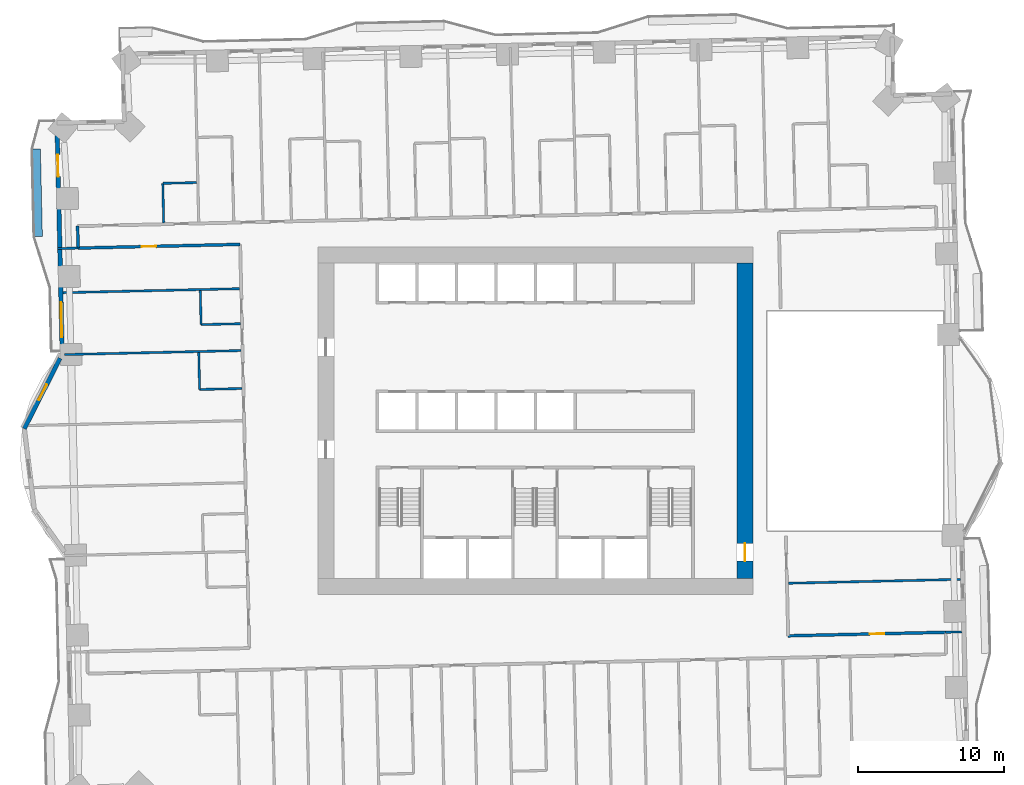
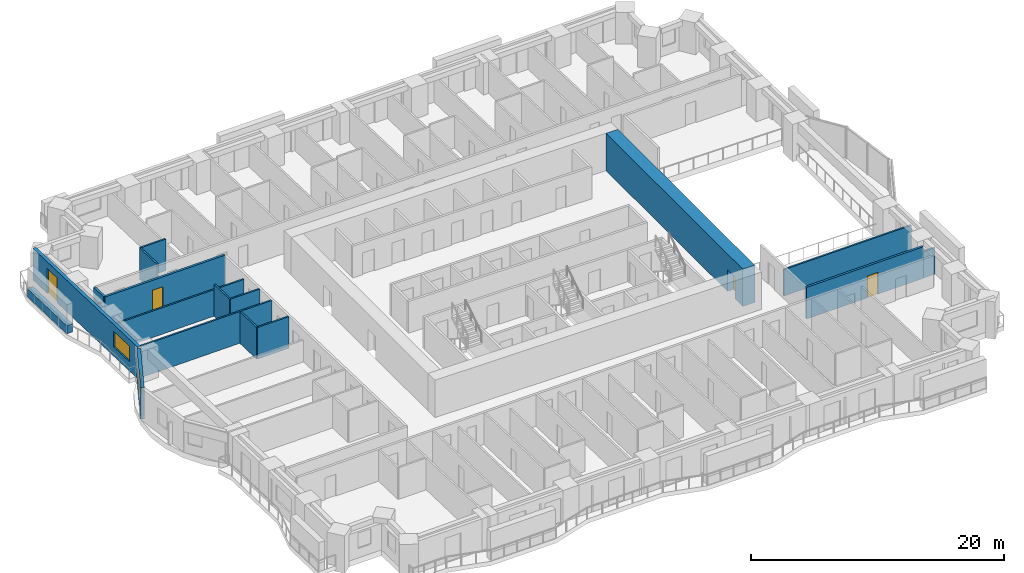
# One storey, part 8 of 16: 18 walls, 4 doors, 2 windows, 6 openings.
"""IFC4 building model written with IfcOpenShell, lengths in metres."""

from ifc_helpers import new_model, si_unit, direction, frame, frame_2d, origin, place, context, subcontext, project, spatial, rectangle, extrude, material, layer, layer_set, type_object, element, fill, save


model = new_model("IFC4")

# Units and contexts
model_context = context("Model", 3, precision=1e-05, world=origin(), true_north=direction((0.0, 1.0)))
body_context = subcontext(model_context, "Body", "Model", "MODEL_VIEW")
ifc_project = project(units=[si_unit("LENGTHUNIT", "METRE"), si_unit("AREAUNIT", "SQUARE_METRE"), si_unit("VOLUMEUNIT", "CUBIC_METRE"), si_unit("PLANEANGLEUNIT", "RADIAN"), si_unit("MASSUNIT", "GRAM", prefix="KILO")], contexts=[model_context])

# Site, building, storey
site_placement = place(None, origin())
site = spatial("IfcSite", under=ifc_project, at=site_placement, CompositionType="ELEMENT")
building_placement = place(site_placement, origin())
building = spatial("IfcBuilding", under=site, at=building_placement, Name="Mangrove Gate Tower", CompositionType="ELEMENT")
storey_placement = place(building_placement, frame((0.0, 0.0, 48.5)))
storey = spatial("IfcBuildingStorey", under=building, at=storey_placement, Name="L11", CompositionType="ELEMENT", Elevation=48.5)

# Wall, opening, door
ifc_material_1 = material(Name="Concrete C70/85", Category="concrete")
ifc_layer_1 = layer(ifc_material_1, 1.10009765625)
ifc_layer_set_1 = layer_set([ifc_layer_1], Name="Core wall 1100 C70/85")
wall_type_1 = type_object("IfcWallType", Name="Core wall 1100 C70/85", PredefinedType="SHEAR", material=ifc_layer_set_1)
wall_1_placement = place(storey_placement, frame((14.35009765625, -10.800048828125, 0.0), z_axis=(0.0, 0.0, 1.0), x_axis=(0.0, 1.0, 0.0)))
wall_1 = element("IfcWall", 1, at=wall_1_placement, inside=storey, type_object=wall_type_1, Name="WALL-L11-CORE-4", PredefinedType="SHEAR", context=body_context, shape_type="SweptSolid", body=[
    extrude(rectangle(XDim=21.60009765625, YDim=1.10009765625, at=frame_2d((10.800048828125, 0.0))), origin(), (0.0, 0.0, 1.0), 3.60009765625),
])
opening_1_placement = place(wall_1_placement, frame((1.199951171875, 0.0, 0.0)))
opening_1 = element("IfcOpeningElement", 2, at=opening_1_placement, cuts=wall_1, Name="Opening CD", PredefinedType="OPENING", context=body_context, shape_type="SweptSolid", body=[
    extrude(rectangle(XDim=1.199951171875, YDim=2.10009765625, at=frame_2d((0.60009765625, 1.050048828125))), frame((0.0, 0.56005859375, 0.0), z_axis=(0.0, -1.0, 0.0), x_axis=(1.0, 0.0, 0.0)), (0.0, 0.0, 1.0), 1.1201171875),
])
ifc_material_2 = material(Name="Fire-rated steel door set", Category="steel")
door_type_1 = type_object("IfcDoorType", Name="Core ring door FD60 1200x2100", OperationType="DOUBLE_DOOR_SINGLE_SWING", PredefinedType="DOOR", material=ifc_material_2)
door_1_placement = place(opening_1_placement, origin())
door_1 = element("IfcDoor", 3, at=door_1_placement, inside=storey, type_object=door_type_1, Name="Core ring door E1", OperationType="DOUBLE_DOOR_SINGLE_SWING", OverallHeight=2.10009765625, OverallWidth=1.199951171875, PredefinedType="DOOR", context=body_context, shape_type="SweptSolid", body=[
    extrude(rectangle(XDim=1.199951171875, YDim=2.10009765625, at=frame_2d((0.60009765625, 1.050048828125))), frame((0.0, 0.02490234375, 0.0), z_axis=(0.0, -1.0, 0.0), x_axis=(1.0, 0.0, 0.0)), (0.0, 0.0, 1.0), 0.050048828125),
])
fill(opening_1, door_1)

ifc_material_3 = material(Name="Gypsum board on steel stud, EI 60", Category="steel")
ifc_layer_2 = layer(ifc_material_3, 0.199951171875)
ifc_layer_set_2 = layer_set([ifc_layer_2], Name="Corridor wall EI 60")
wall_type_2 = type_object("IfcWallType", Name="Corridor wall EI 60", PredefinedType="PARTITIONING", material=ifc_layer_set_2)
wall_2_placement = place(storey_placement, frame((17.305908203125, -14.72412109375, 0.0), z_axis=(0.0, 0.0, 1.0), x_axis=(0.999744269809, 0.022614043969, 0.0)))
wall_2 = element("IfcWall", 4, at=wall_2_placement, inside=storey, type_object=wall_type_2, Name="WALL-L11-037", PredefinedType="PARTITIONING", context=body_context, shape_type="SweptSolid", body=[
    extrude(rectangle(XDim=10.7958984375, YDim=0.199951171875, at=frame_2d((5.39794921875, 0.0))), origin(), (0.0, 0.0, 1.0), 3.050048828125),
])
opening_2_placement = place(wall_2_placement, frame((5.597900390625, 0.0, 0.0)))
opening_2 = element("IfcOpeningElement", 5, at=opening_2_placement, cuts=wall_2, Name="Opening AD", PredefinedType="OPENING", context=body_context, shape_type="SweptSolid", body=[
    extrude(rectangle(XDim=1.0, YDim=2.10009765625, at=frame_2d((0.5, 1.050048828125))), frame((0.0, 0.10986328125, 0.0), z_axis=(0.0, -1.0, 0.0), x_axis=(1.0, 0.0, 0.0)), (0.0, 0.0, 1.0), 0.219970703125),
])
ifc_material_4 = material(Name="Timber door leaf", Category="wood")
door_type_2 = type_object("IfcDoorType", Name="Amenity door 1000", OperationType="SINGLE_SWING_LEFT", PredefinedType="DOOR", material=ifc_material_4)
door_2_placement = place(opening_2_placement, origin())
door_2 = element("IfcDoor", 6, at=door_2_placement, inside=storey, type_object=door_type_2, Name="DOOR-L11-KIT-c3a", OperationType="SINGLE_SWING_LEFT", OverallHeight=2.10009765625, OverallWidth=1.0, PredefinedType="DOOR", context=body_context, shape_type="SweptSolid", body=[
    extrude(rectangle(XDim=1.0, YDim=2.10009765625, at=frame_2d((0.5, 1.050048828125))), frame((0.0, 0.02490234375, 0.0), z_axis=(0.0, -1.0, 0.0), x_axis=(1.0, 0.0, 0.0)), (0.0, 0.0, 1.0), 0.050048828125),
])
fill(opening_2, door_2)

wall_3_placement = place(storey_placement, frame((-31.31298828125, 11.8291015625, 0.0), z_axis=(0.0, 0.0, 1.0), x_axis=(0.999742346277, 0.022698921993, 0.0)))
wall_3 = element("IfcWall", 7, at=wall_3_placement, inside=storey, type_object=wall_type_2, Name="WALL-L11-056", PredefinedType="PARTITIONING", context=body_context, shape_type="SweptSolid", body=[
    extrude(rectangle(XDim=11.099853515625, YDim=0.199951171875, at=frame_2d((5.5498046875, 0.0))), origin(), (0.0, 0.0, 1.0), 3.050048828125),
])
opening_3_placement = place(wall_3_placement, frame((4.35009765625, 0.0, 0.0)))
opening_3 = element("IfcOpeningElement", 8, at=opening_3_placement, cuts=wall_3, Name="Opening AD", PredefinedType="OPENING", context=body_context, shape_type="SweptSolid", body=[
    extrude(rectangle(XDim=1.0, YDim=2.10009765625, at=frame_2d((0.5, 1.050048828125))), frame((0.0, 0.10986328125, 0.0), z_axis=(0.0, -1.0, 0.0), x_axis=(1.0, 0.0, 0.0)), (0.0, 0.0, 1.0), 0.219970703125),
])
door_3_placement = place(opening_3_placement, origin())
door_3 = element("IfcDoor", 9, at=door_3_placement, inside=storey, type_object=door_type_2, Name="DOOR-L11-STU-c5a", OperationType="SINGLE_SWING_RIGHT", OverallHeight=2.10009765625, OverallWidth=1.0, PredefinedType="DOOR", context=body_context, shape_type="SweptSolid", body=[
    extrude(rectangle(XDim=1.0, YDim=2.10009765625, at=frame_2d((0.5, 1.050048828125))), frame((0.0, 0.02490234375, 0.0), z_axis=(0.0, -1.0, 0.0), x_axis=(1.0, 0.0, 0.0)), (0.0, 0.0, 1.0), 0.050048828125),
])
fill(opening_3, door_3)

# Wall
wall_4_placement = place(storey_placement, frame((-31.31298828125, 11.8291015625, 0.0), z_axis=(0.0, 0.0, 1.0), x_axis=(-0.022617910375, 0.999744182344, 0.0)))
element("IfcWall", 10, at=wall_4_placement, inside=storey, type_object=wall_type_2, Name="WALL-L11-057", PredefinedType="PARTITIONING", context=body_context, shape_type="SweptSolid", body=[
    extrude(rectangle(XDim=1.50048828125, YDim=0.199951171875, at=frame_2d((0.750244140625, 0.0))), origin(), (0.0, 0.0, 1.0), 3.050048828125),
])

# Wall, openings, door, window
ifc_material_5 = material(Name="Limestone", Category="masonry")
ifc_layer_3 = layer(ifc_material_5, 0.0400390625, Name="Limestone cladding")
ifc_material_6 = material(Name="Ventilated air gap")
ifc_layer_4 = layer(ifc_material_6, 0.0400390625, Name="Ventilated cavity")
ifc_material_7 = material(Name="Mineral wool insulation")
ifc_layer_5 = layer(ifc_material_7, 0.06005859375, Name="Insulation")
ifc_material_8 = material(Name="Breather membrane")
ifc_layer_6 = layer(ifc_material_8, 0.001953125, Name="Breather membrane")
ifc_material_9 = material(Name="Concrete C20/25 blockwork", Category="masonry")
ifc_layer_7 = layer(ifc_material_9, 0.14990234375, Name="Blockwork backing wall")
ifc_material_10 = material(Name="Gypsum plaster")
ifc_layer_8 = layer(ifc_material_10, 0.008056640625, Name="Internal plaster")
ifc_layer_set_3 = layer_set([ifc_layer_3, ifc_layer_4, ifc_layer_5, ifc_layer_6, ifc_layer_7, ifc_layer_8], Name="External wall 300 limestone cladding")
wall_type_3 = type_object("IfcWallType", Name="External wall 300 limestone cladding", PredefinedType="SOLIDWALL", material=ifc_layer_set_3)
wall_5_placement = place(storey_placement, frame((-32.758056640625, 20.39892578125, 0.0), z_axis=(0.0, 0.0, 1.0), x_axis=(0.022668485183, -0.999743036875, 0.0)))
wall_5 = element("IfcWall", 11, at=wall_5_placement, inside=storey, type_object=wall_type_3, Name="WALL-L11-W8", PredefinedType="SOLIDWALL", context=body_context, shape_type="SweptSolid", body=[
    extrude(rectangle(XDim=15.928955078125, YDim=0.300048828125, at=frame_2d((7.96435546875, 0.0))), origin(), (0.0, 0.0, 1.0), 3.050048828125),
])
opening_4_placement = place(wall_5_placement, frame((2.169921875, 0.0, 0.0)))
opening_4 = element("IfcOpeningElement", 12, at=opening_4_placement, cuts=wall_5, Name="Opening BD1", PredefinedType="OPENING", context=body_context, shape_type="SweptSolid", body=[
    extrude(rectangle(XDim=1.5, YDim=2.39990234375, at=frame_2d((0.75, 1.199951171875))), frame((0.0, 0.159912109375, 0.0), z_axis=(0.0, -1.0, 0.0), x_axis=(1.0, 0.0, 0.0)), (0.0, 0.0, 1.0), 0.320068359375),
])
opening_5_placement = place(wall_5_placement, frame((12.27490234375, 0.0, 0.89990234375)))
opening_5 = element("IfcOpeningElement", 13, at=opening_5_placement, cuts=wall_5, Name="Opening W2", PredefinedType="OPENING", context=body_context, shape_type="SweptSolid", body=[
    extrude(rectangle(XDim=2.39990234375, YDim=1.5, at=frame_2d((1.199951171875, 0.75))), frame((0.0, 0.159912109375, 0.0), z_axis=(0.0, -1.0, 0.0), x_axis=(1.0, 0.0, 0.0)), (0.0, 0.0, 1.0), 0.320068359375),
])
ifc_material_11 = material(Name="Aluminium frame with laminated clear glass", Category="aluminium")
door_type_3 = type_object("IfcDoorType", Name="Balcony sliding door 1500x2400", OperationType="SLIDING_TO_LEFT", PredefinedType="DOOR", material=ifc_material_11)
door_4_placement = place(opening_4_placement, origin())
door_4 = element("IfcDoor", 14, at=door_4_placement, inside=storey, type_object=door_type_3, Name="DOOR-L11-W8-1", OperationType="SLIDING_TO_LEFT", OverallHeight=2.39990234375, OverallWidth=1.5, PredefinedType="DOOR", context=body_context, shape_type="SweptSolid", body=[
    extrude(rectangle(XDim=1.5, YDim=2.39990234375, at=frame_2d((0.75, 1.199951171875))), frame((0.0, 0.02490234375, 0.0), z_axis=(0.0, -1.0, 0.0), x_axis=(1.0, 0.0, 0.0)), (0.0, 0.0, 1.0), 0.050048828125),
])
fill(opening_4, door_4)
ifc_material_12 = material(Name="Aluminium frame with double-glazed low-e glass", Category="aluminium")
window_type_1 = type_object("IfcWindowType", Name="Corner room window 2400x1500", PartitioningType="DOUBLE_PANEL_VERTICAL", PredefinedType="WINDOW", material=ifc_material_12)
window_1_placement = place(opening_5_placement, origin())
window_1 = element("IfcWindow", 15, at=window_1_placement, inside=storey, type_object=window_type_1, Name="WIN-L11-W8-2", OverallHeight=1.5, OverallWidth=2.39990234375, PartitioningType="DOUBLE_PANEL_VERTICAL", PredefinedType="WINDOW", context=body_context, shape_type="SweptSolid", body=[
    extrude(rectangle(XDim=2.39990234375, YDim=1.5, at=frame_2d((1.199951171875, 0.75))), frame((0.0, 0.030029296875, 0.0), z_axis=(0.0, -1.0, 0.0), x_axis=(1.0, 0.0, 0.0)), (0.0, 0.0, 1.0), 0.06005859375),
])
fill(opening_5, window_1)

# Wall, opening, window
wall_6_placement = place(storey_placement, frame((-32.552001953125, 4.280029296875, 0.0), z_axis=(0.0, 0.0, 1.0), x_axis=(-0.452703975507, -0.891660871946, 0.0)))
wall_6 = element("IfcWall", 16, at=wall_6_placement, inside=storey, type_object=wall_type_3, Name="WALL-L11-W9f1", PredefinedType="SOLIDWALL", context=body_context, shape_type="SweptSolid", body=[
    extrude(rectangle(XDim=5.39892578125, YDim=0.300048828125, at=frame_2d((2.699462890625, 0.0))), origin(), (0.0, 0.0, 1.0), 3.050048828125),
])
opening_6_placement = place(wall_6_placement, frame((2.007080078125, 0.0, 0.89990234375)))
opening_6 = element("IfcOpeningElement", 17, at=opening_6_placement, cuts=wall_6, Name="Opening W1", PredefinedType="OPENING", context=body_context, shape_type="SweptSolid", body=[
    extrude(rectangle(XDim=1.199951171875, YDim=1.5, at=frame_2d((0.60009765625, 0.75))), frame((0.0, 0.159912109375, 0.0), z_axis=(0.0, -1.0, 0.0), x_axis=(1.0, 0.0, 0.0)), (0.0, 0.0, 1.0), 0.320068359375),
])
ifc_material_13 = material(Name="Aluminium frame with double-glazed low-e glass", Category="aluminium")
window_type_2 = type_object("IfcWindowType", Name="Side lite 1200x1500", PartitioningType="SINGLE_PANEL", PredefinedType="WINDOW", material=ifc_material_13)
window_2_placement = place(opening_6_placement, origin())
window_2 = element("IfcWindow", 18, at=window_2_placement, inside=storey, type_object=window_type_2, Name="WIN-L11-W9f1", OverallHeight=1.5, OverallWidth=1.199951171875, PartitioningType="SINGLE_PANEL", PredefinedType="WINDOW", context=body_context, shape_type="SweptSolid", body=[
    extrude(rectangle(XDim=1.199951171875, YDim=1.5, at=frame_2d((0.60009765625, 0.75))), frame((0.0, 0.030029296875, 0.0), z_axis=(0.0, -1.0, 0.0), x_axis=(1.0, 0.0, 0.0)), (0.0, 0.0, 1.0), 0.06005859375),
])
fill(opening_6, window_2)

# Walls
ifc_material_14 = material(Name="Gypsum board on steel stud, EI 60", Category="steel")
ifc_layer_9 = layer(ifc_material_14, 0.14990234375)
ifc_layer_set_4 = layer_set([ifc_layer_9], Name="Party wall 150 EI 60")
wall_type_4 = type_object("IfcWallType", Name="Party wall 150 EI 60", PredefinedType="PARTITIONING", material=ifc_layer_set_4)
wall_7_placement = place(storey_placement, frame((28.094970703125, -14.47998046875, 0.0), z_axis=(0.0, 0.0, 1.0), x_axis=(0.999745251335, 0.022570609924, 0.0)))
element("IfcWall", 19, at=wall_7_placement, inside=storey, type_object=wall_type_4, Name="WALL-L11-039", PredefinedType="PARTITIONING", context=body_context, shape_type="SweptSolid", body=[
    extrude(rectangle(XDim=1.103271484375, YDim=0.14990234375, at=frame_2d((0.5517578125, 0.0))), origin(), (0.0, 0.0, 1.0), 2.550048828125),
])
wall_8_placement = place(storey_placement, frame((17.324951171875, -11.123046875, 0.0), z_axis=(0.0, 0.0, 1.0), x_axis=(0.999741707298, 0.022727047508, 0.0)))
element("IfcWall", 20, at=wall_8_placement, inside=storey, type_object=wall_type_4, Name="WALL-L11-040", PredefinedType="PARTITIONING", context=body_context, shape_type="SweptSolid", body=[
    extrude(rectangle(XDim=11.794921875, YDim=0.14990234375, at=frame_2d((5.8974609375, 0.0))), origin(), (0.0, 0.0, 1.0), 2.550048828125),
])
wall_9_placement = place(storey_placement, frame((-22.991943359375, 2.14111328125, 0.0), z_axis=(0.0, 0.0, 1.0), x_axis=(-0.022629142889, 0.99974392816, 0.0)))
element("IfcWall", 21, at=wall_9_placement, inside=storey, type_object=wall_type_4, Name="WALL-L11-048", PredefinedType="PARTITIONING", context=body_context, shape_type="SweptSolid", body=[
    extrude(rectangle(XDim=2.524658203125, YDim=0.14990234375, at=frame_2d((1.26220703125, 0.0))), origin(), (0.0, 0.0, 1.0), 3.050048828125),
])
wall_10_placement = place(storey_placement, frame((-22.991943359375, 2.14599609375, 0.0), z_axis=(0.0, 0.0, 1.0), x_axis=(0.999749340989, 0.022388729138, 0.0)))
element("IfcWall", 22, at=wall_10_placement, inside=storey, type_object=wall_type_4, Name="WALL-L11-049", PredefinedType="PARTITIONING", context=body_context, shape_type="SweptSolid", body=[
    extrude(rectangle(XDim=2.900634765625, YDim=0.14990234375, at=frame_2d((1.4501953125, 0.0))), origin(), (0.0, 0.0, 1.0), 3.050048828125),
])
wall_11_placement = place(storey_placement, frame((-32.248046875, 4.535888671875, 0.0), z_axis=(0.0, 0.0, 1.0), x_axis=(0.999741439573, 0.022738821441, 0.0)))
element("IfcWall", 23, at=wall_11_placement, inside=storey, type_object=wall_type_4, Name="WALL-L11-050", PredefinedType="PARTITIONING", context=body_context, shape_type="SweptSolid", body=[
    extrude(rectangle(XDim=12.100341796875, YDim=0.14990234375, at=frame_2d((6.05029296875, 0.0))), origin(), (0.0, 0.0, 1.0), 3.050048828125),
])
wall_12_placement = place(storey_placement, frame((-22.89208984375, 6.589111328125, 0.0), z_axis=(0.0, 0.0, 1.0), x_axis=(0.999746436932, 0.022518033722, 0.0)))
element("IfcWall", 24, at=wall_12_placement, inside=storey, type_object=wall_type_4, Name="WALL-L11-051", PredefinedType="PARTITIONING", context=body_context, shape_type="SweptSolid", body=[
    extrude(rectangle(XDim=2.69970703125, YDim=0.14990234375, at=frame_2d((1.349853515625, 0.0))), origin(), (0.0, 0.0, 1.0), 3.050048828125),
])
wall_13_placement = place(storey_placement, frame((-22.89306640625, 6.593994140625, 0.0), z_axis=(0.0, 0.0, 1.0), x_axis=(-0.022370700241, 0.999749744571, 0.0)))
element("IfcWall", 25, at=wall_13_placement, inside=storey, type_object=wall_type_4, Name="WALL-L11-052", PredefinedType="PARTITIONING", context=body_context, shape_type="SweptSolid", body=[
    extrude(rectangle(XDim=2.324462890625, YDim=0.14990234375, at=frame_2d((1.162109375, 0.0))), origin(), (0.0, 0.0, 1.0), 3.050048828125),
])
wall_14_placement = place(storey_placement, frame((-32.343994140625, 8.77490234375, 0.0), z_axis=(0.0, 0.0, 1.0), x_axis=(0.999741387404, 0.022741115019, 0.0)))
element("IfcWall", 26, at=wall_14_placement, inside=storey, type_object=wall_type_4, Name="WALL-L11-054", PredefinedType="PARTITIONING", context=body_context, shape_type="SweptSolid", body=[
    extrude(rectangle(XDim=12.09912109375, YDim=0.14990234375, at=frame_2d((6.049560546875, 0.0))), origin(), (0.0, 0.0, 1.0), 2.550048828125),
])
wall_15_placement = place(storey_placement, frame((-32.712890625, 11.798095703125, 0.0), z_axis=(0.0, 0.0, 1.0), x_axis=(0.999756172383, 0.022081571112, 0.0)))
element("IfcWall", 27, at=wall_15_placement, inside=storey, type_object=wall_type_4, Name="WALL-L11-055", PredefinedType="PARTITIONING", context=body_context, shape_type="SweptSolid", body=[
    extrude(rectangle(XDim=1.404052734375, YDim=0.14990234375, at=frame_2d((0.7021484375, 0.0))), origin(), (0.0, 0.0, 1.0), 2.550048828125),
])
wall_16_placement = place(storey_placement, frame((-25.450927734375, 13.56298828125, 0.0), z_axis=(0.0, 0.0, 1.0), x_axis=(-0.022969966847, 0.999736155505, 0.0)))
element("IfcWall", 28, at=wall_16_placement, inside=storey, type_object=wall_type_4, Name="WALL-L11-062", PredefinedType="PARTITIONING", context=body_context, shape_type="SweptSolid", body=[
    extrude(rectangle(XDim=2.69970703125, YDim=0.14990234375, at=frame_2d((1.349853515625, 0.0))), origin(), (0.0, 0.0, 1.0), 3.050048828125),
])
wall_17_placement = place(storey_placement, frame((-25.512939453125, 16.261962890625, 0.0), z_axis=(0.0, 0.0, 1.0), x_axis=(0.999740478815, 0.022781023197, 0.0)))
element("IfcWall", 29, at=wall_17_placement, inside=storey, type_object=wall_type_4, Name="WALL-L11-085", PredefinedType="PARTITIONING", context=body_context, shape_type="SweptSolid", body=[
    extrude(rectangle(XDim=2.325439453125, YDim=0.14990234375, at=frame_2d((1.16259765625, 0.0))), origin(), (0.0, 0.0, 1.0), 3.050048828125),
])
ifc_material_15 = material(Name="Concrete C32/40", Category="concrete")
ifc_layer_10 = layer(ifc_material_15, 0.199951171875, Name="Planter trough wall")
ifc_material_16 = material(Name="Bituminous waterproofing membrane")
ifc_layer_11 = layer(ifc_material_16, 0.0048828125, Name="Waterproofing")
ifc_material_17 = material(Name="Drainage board and gravel")
ifc_layer_12 = layer(ifc_material_17, 0.044921875, Name="Drainage layer")
ifc_material_18 = material(Name="Planting soil")
ifc_layer_13 = layer(ifc_material_18, 0.300048828125, Name="Growing medium")
ifc_layer_set_5 = layer_set([ifc_layer_10, ifc_layer_11, ifc_layer_12, ifc_layer_13], Name="Planter wall 550 C32/40")
wall_type_5 = type_object("IfcWallType", Name="Planter wall 550 C32/40", PredefinedType="USERDEFINED", material=ifc_layer_set_5)
wall_18_placement = place(storey_placement, frame((-34.031982421875, 12.617919921875, 0.0), z_axis=(0.0, 0.0, 1.0), x_axis=(-0.022662255828, 0.999743178102, 0.0)))
element("IfcWall", 30, at=wall_18_placement, inside=storey, type_object=wall_type_5, Name="PLANTER L11 W0.1", ObjectType="PLANTER", PredefinedType="USERDEFINED", context=body_context, shape_type="SweptSolid", body=[
    extrude(rectangle(XDim=6.00048828125, YDim=0.550048828125, at=frame_2d((3.000244140625, 0.0))), origin(), (0.0, 0.0, 1.0), 0.800048828125),
])

save(model, "model.ifc")
